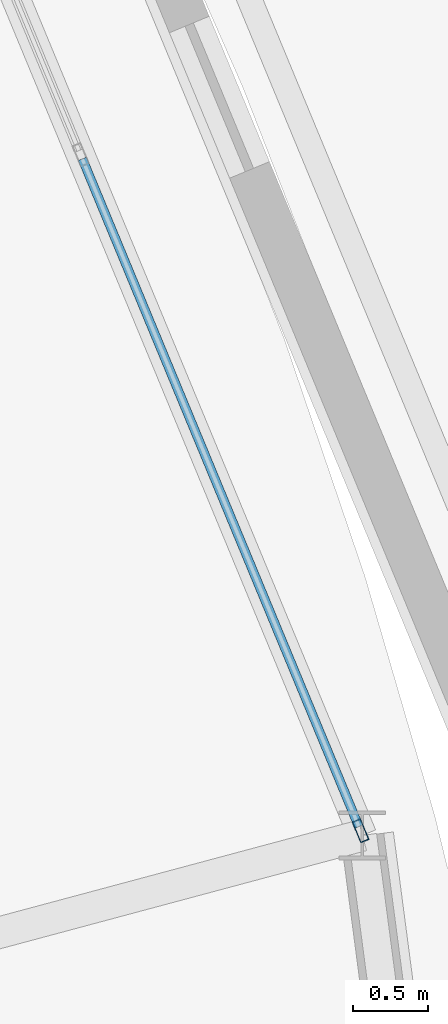
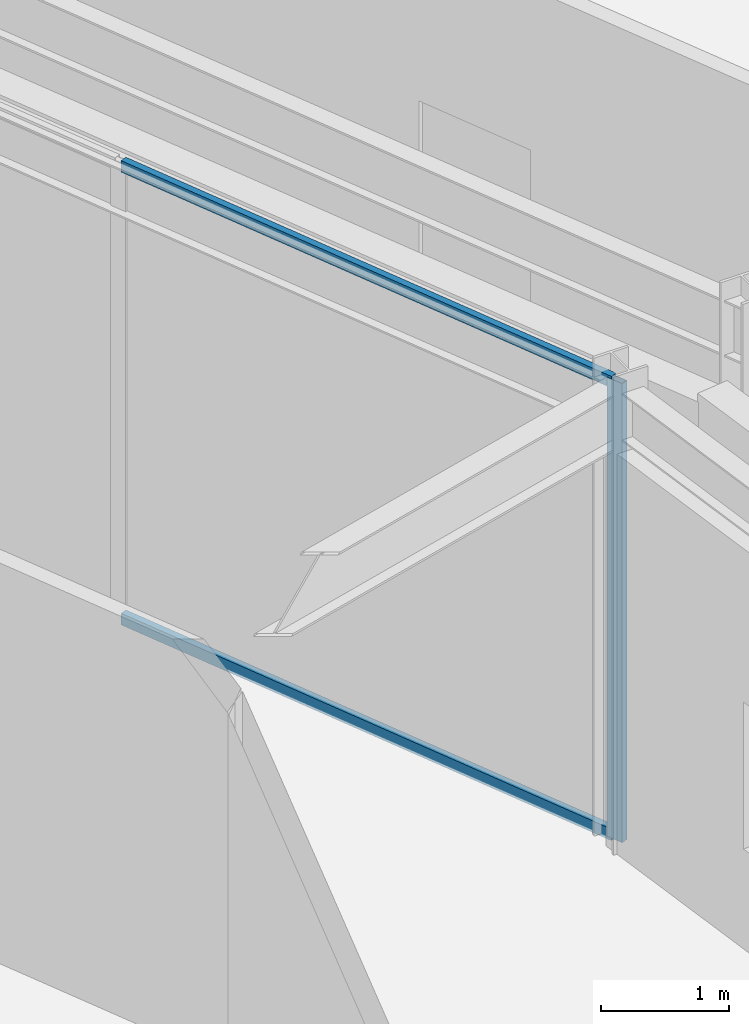
# One storey, part 50 of 157: 3 members, 1 element without a shape of its own.
"""IFC4 building model written with IfcOpenShell, lengths in metres."""

from ifc_helpers import new_model, si_unit, direction, frame, origin, origin_2d, place, context, subcontext, project, spatial, hollow_rectangle, extrude, material, material_profile, profile_set, type_object, element, aggregate, save


model = new_model("IFC4")

# Units and contexts
model_context = context("Model", 3, precision=1e-05, world=origin(), true_north=direction((0.0, 1.0)))
body_context = subcontext(model_context, "Body", "Model", "MODEL_VIEW")
ifc_project = project(units=[si_unit("LENGTHUNIT", "METRE"), si_unit("AREAUNIT", "SQUARE_METRE"), si_unit("VOLUMEUNIT", "CUBIC_METRE"), si_unit("PLANEANGLEUNIT", "RADIAN"), si_unit("MASSUNIT", "GRAM", prefix="KILO")], contexts=[model_context])

# Site, building, storey
site_placement = place(None, origin())
site = spatial("IfcSite", under=ifc_project, at=site_placement, CompositionType="ELEMENT")
building_placement = place(site_placement, origin())
building = spatial("IfcBuilding", under=site, at=building_placement, Name="Almandine Court Research Institute", CompositionType="ELEMENT")
storey_placement = place(building_placement, frame((0.0, 0.0, 5.25)))
storey = spatial("IfcBuildingStorey", under=building, at=storey_placement, Name="L01", CompositionType="ELEMENT", Elevation=5.25)

# Curtain wall, members
ifc_material_1 = material(Name="Unitised Curtain Wall Framing and Solar Glazing", Category="glass")
curtain_wall_type = type_object("IfcCurtainWallType", Name="CW-CWG-24", PredefinedType="USERDEFINED", material=ifc_material_1)
curtain_wall_placement = place(storey_placement, origin())
curtain_wall = element("IfcCurtainWall", 1, at=curtain_wall_placement, inside=storey, type_object=curtain_wall_type, Name="L01 Interaction Atrium Perimeter Curtain Wall 01", ObjectType="UNITISED GLAZING", PredefinedType="USERDEFINED")
ifc_material_2 = material(Name="Anodised Aluminium AW-6063-T6", Category="aluminium")
ifc_material_profile_1 = material_profile(ifc_material_2, hollow_rectangle(XDim=0.06005859375, YDim=0.14990234375, WallThickness=0.00390625, at=origin_2d()), Name="ALU RHS 60x150x4")
ifc_profile_set_1 = profile_set([ifc_material_profile_1], Name="Anodised Aluminium AW-6063-T6")
member_type_1 = type_object("IfcMemberType", Name="CWMul-60x150", PredefinedType="MULLION", material=ifc_profile_set_1)
member_1_placement = place(storey_placement, frame((123.3544921875, 65.775634765625, 0.0), z_axis=(0.0, 0.0, 1.0), x_axis=(0.923900189297, 0.382633558665, 0.0)))
member_1 = element("IfcMember", 2, at=member_1_placement, type_object=member_type_1, Name="CWG-24 mullion 3", PredefinedType="MULLION", context=body_context, shape_type="SweptSolid", body=[
    extrude(hollow_rectangle(XDim=0.06005859375, YDim=0.14990234375, WallThickness=0.00390625, at=origin_2d()), origin(), (0.0, 0.0, 1.0), 4.3701171875),
])
ifc_material_profile_2 = material_profile(ifc_material_2, hollow_rectangle(XDim=0.06005859375, YDim=0.110107421875, WallThickness=0.00390625, at=origin_2d()), Name="ALU RHS 60x110x4")
ifc_profile_set_2 = profile_set([ifc_material_profile_2], Name="Anodised Aluminium AW-6063-T6")
member_type_2 = type_object("IfcMemberType", Name="CWTrn-60x110", PredefinedType="NOTDEFINED", material=ifc_profile_set_2)
member_2_placement = place(storey_placement, frame((121.49853515625, 70.25732421875, 0.030029296875), z_axis=(0.382618675498, -0.923906353025, 0.0), x_axis=(0.923906353025, 0.382618675498, 0.0)))
member_2 = element("IfcMember", 3, at=member_2_placement, type_object=member_type_2, Name="CWG-24 transom 2.1", ObjectType="TRANSOM", PredefinedType="USERDEFINED", context=body_context, shape_type="SweptSolid", body=[
    extrude(hollow_rectangle(XDim=0.06005859375, YDim=0.110107421875, WallThickness=0.00390625, at=origin_2d()), origin(), (0.0, 0.0, 1.0), 4.82080078125),
])
member_3_placement = place(storey_placement, frame((121.49853515625, 70.25732421875, 4.340087890625), z_axis=(0.382618675498, -0.923906353025, 0.0), x_axis=(0.923906353025, 0.382618675498, 0.0)))
member_3 = element("IfcMember", 4, at=member_3_placement, type_object=member_type_2, Name="CWG-24 transom 2.2", ObjectType="TRANSOM", PredefinedType="USERDEFINED", context=body_context, shape_type="SweptSolid", body=[
    extrude(hollow_rectangle(XDim=0.06005859375, YDim=0.110107421875, WallThickness=0.00390625, at=origin_2d()), origin(), (0.0, 0.0, 1.0), 4.82080078125),
])
aggregate(curtain_wall, [member_1, member_2, member_3])

save(model, "model.ifc")
